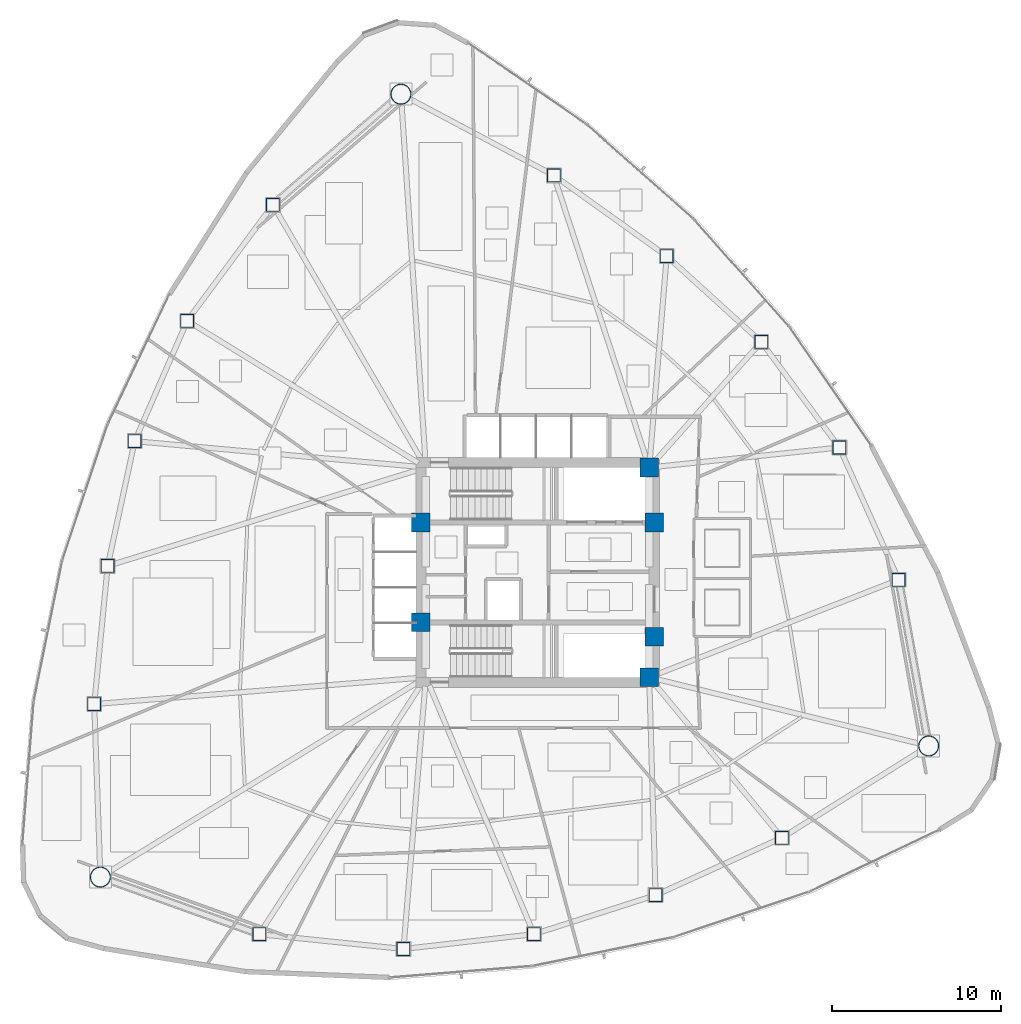
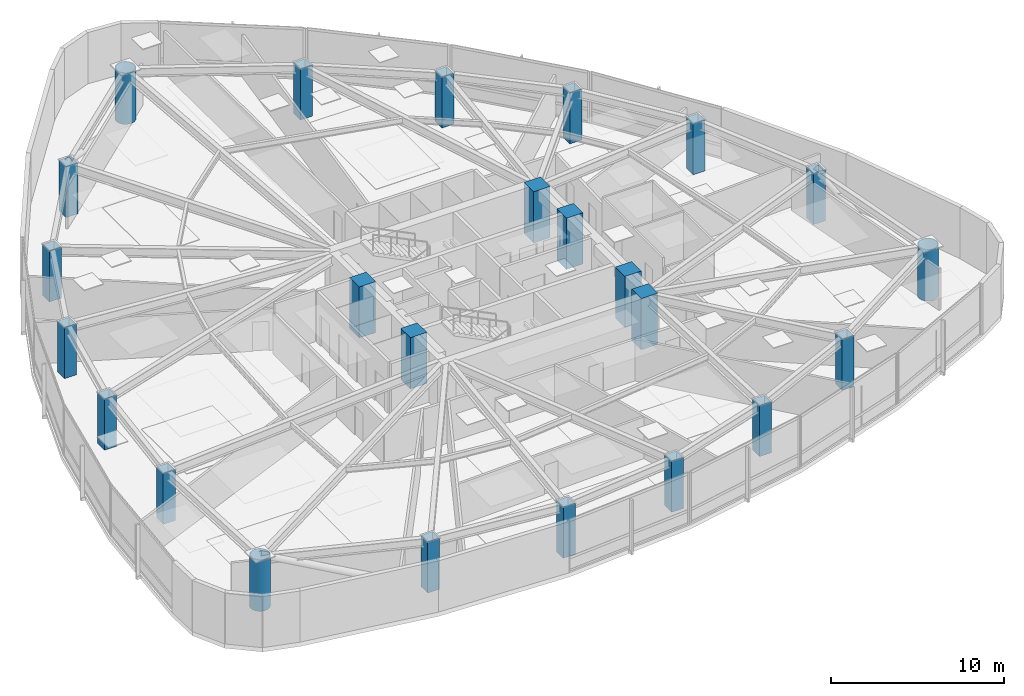
# One storey, part 1 of 18: 24 columns.
"""IFC4 building model written with IfcOpenShell, lengths in metres."""

from ifc_helpers import new_model, si_unit, direction, frame, origin, origin_2d, place, context, subcontext, project, spatial, rectangle, hollow_rectangle, hollow_circle, extrude, material, material_profile, profile_set, type_object, element, save


model = new_model("IFC4")

# Units and contexts
model_context = context("Model", 3, precision=1e-05, world=origin(), true_north=direction((0.0, 1.0)))
body_context = subcontext(model_context, "Body", "Model", "MODEL_VIEW")
ifc_project = project(units=[si_unit("LENGTHUNIT", "METRE"), si_unit("AREAUNIT", "SQUARE_METRE"), si_unit("VOLUMEUNIT", "CUBIC_METRE"), si_unit("PLANEANGLEUNIT", "RADIAN"), si_unit("MASSUNIT", "GRAM", prefix="KILO")], contexts=[model_context])

# Site, building, storey
site_placement = place(None, origin())
site = spatial("IfcSite", under=ifc_project, at=site_placement, CompositionType="ELEMENT")
building_placement = place(site_placement, origin())
building = spatial("IfcBuilding", under=site, at=building_placement, Name="Tavelor Broadcast Tower", CompositionType="ELEMENT")
storey_placement = place(building_placement, frame((0.0, 0.0, 58.800048828125)))
storey = spatial("IfcBuildingStorey", under=building, at=storey_placement, Name="L13", CompositionType="ELEMENT", Elevation=58.800048828125)

# Columns
ifc_material_1 = material(Name="Concrete C60/75", Category="concrete")
ifc_material_profile_1 = material_profile(ifc_material_1, rectangle(XDim=1.10009765625, YDim=1.10009765625, at=origin_2d()), Name="RC 1100x1100")
ifc_profile_set_1 = profile_set([ifc_material_profile_1], Name="Concrete C60/75")
column_type_1 = type_object("IfcColumnType", Name="Core Embedded Composite Column RC1100", PredefinedType="COLUMN", material=ifc_profile_set_1)
for number, where, z_axis, x_axis, name in (
    (1, (43.10009765625, 47.949951171875, 0.0), (0.0, 0.0, 1.0), (1.0, 0.0, 0.0), "L13 Core Embedded Column 1"),
    (2, (56.89990234375, 47.949951171875, 0.0), (0.0, 0.0, 1.0), (1.0, 0.0, 0.0), "L13 Core Embedded Column 2"),
    (3, (56.60009765625, 51.199951171875, 0.0), (0.0, 0.0, 1.0), (1.0, 0.0, 0.0), "L13 Core Embedded Column 3"),
    (4, (43.10009765625, 42.050048828125, 0.0), (0.0, 0.0, 1.0), (1.0, 0.0, 0.0), "L13 Core Embedded Column 4"),
    (5, (56.89990234375, 41.199951171875, 0.0), (0.0, 0.0, 1.0), (1.0, 0.0, 0.0), "L13 Core Embedded Column 5"),
    (6, (56.60009765625, 38.800048828125, 0.0), (0.0, 0.0, 1.0), (1.0, 0.0, 0.0), "L13 Core Embedded Column 6"),
):
    element("IfcColumn", number, at=place(storey_placement, frame(where, z_axis=z_axis, x_axis=x_axis)), inside=storey, type_object=column_type_1, Name=name, PredefinedType="COLUMN", context=body_context, shape_type="SweptSolid", body=[
        extrude(rectangle(XDim=1.10009765625, YDim=1.10009765625, at=origin_2d()), origin(), (0.0, 0.0, 1.0), 3.599853515625),
    ])
ifc_material_2 = material(Name="Steel S460", Category="steel")
ifc_material_profile_2 = material_profile(ifc_material_2, hollow_rectangle(XDim=0.800048828125, YDim=0.800048828125, WallThickness=0.044921875, at=origin_2d()), Name="SHS 800x800x45")
ifc_profile_set_2 = profile_set([ifc_material_profile_2], Name="Steel S460")
column_type_2 = type_object("IfcColumnType", Name="Perimeter Tube Column T1 SHS 800x800x45", PredefinedType="COLUMN", material=ifc_profile_set_2)
for number, where, z_axis, x_axis, name in (
    (7, (34.356201171875, 66.727783203125, 0.0), (0.0, 0.0, 1.0), (1.0, 0.0, 0.0), "L13 Perimeter Framed-Tube Column 02"),
    (8, (29.292236328125, 59.87158203125, 0.0), (0.0, 0.0, 1.0), (1.0, 0.0, 0.0), "L13 Perimeter Framed-Tube Column 03"),
    (9, (26.189208984375, 52.75830078125, 0.0), (0.0, 0.0, 1.0), (1.0, 0.0, 0.0), "L13 Perimeter Framed-Tube Column 04"),
    (10, (24.58984375, 45.380615234375, 0.0), (0.0, 0.0, 1.0), (1.0, 0.0, 0.0), "L13 Perimeter Framed-Tube Column 05"),
    (11, (23.794677734375, 37.21630859375, 0.0), (0.0, 0.0, 1.0), (1.0, 0.0, 0.0), "L13 Perimeter Framed-Tube Column 06"),
    (12, (33.55078125, 23.615478515625, 0.0), (0.0, 0.0, 1.0), (1.0, 0.0, 0.0), "L13 Perimeter Framed-Tube Column 08"),
    (13, (42.0732421875, 22.740478515625, 0.0), (0.0, 0.0, 1.0), (1.0, 0.0, 0.0), "L13 Perimeter Framed-Tube Column 09"),
    (14, (49.78662109375, 23.617919921875, 0.0), (0.0, 0.0, 1.0), (1.0, 0.0, 0.0), "L13 Perimeter Framed-Tube Column 10"),
    (15, (56.975341796875, 25.92138671875, 0.0), (0.0, 0.0, 1.0), (1.0, 0.0, 0.0), "L13 Perimeter Framed-Tube Column 11"),
    (16, (64.443603515625, 29.31494140625, 0.0), (0.0, 0.0, 1.0), (1.0, 0.0, 0.0), "L13 Perimeter Framed-Tube Column 12"),
    (17, (71.343994140625, 44.564697265625, 0.0), (0.0, 0.0, 1.0), (1.0, 0.0, 0.0), "L13 Perimeter Framed-Tube Column 14"),
    (18, (67.8408203125, 52.382568359375, 0.0), (0.0, 0.0, 1.0), (1.0, 0.0, 0.0), "L13 Perimeter Framed-Tube Column 15"),
    (19, (63.22412109375, 58.623779296875, 0.0), (0.0, 0.0, 1.0), (1.0, 0.0, 0.0), "L13 Perimeter Framed-Tube Column 16"),
    (20, (57.634765625, 63.69775390625, 0.0), (0.0, 0.0, 1.0), (1.0, 0.0, 0.0), "L13 Perimeter Framed-Tube Column 17"),
    (21, (50.9619140625, 68.468505859375, 0.0), (0.0, 0.0, 1.0), (1.0, 0.0, 0.0), "L13 Perimeter Framed-Tube Column 18"),
):
    element("IfcColumn", number, at=place(storey_placement, frame(where, z_axis=z_axis, x_axis=x_axis)), inside=storey, type_object=column_type_2, Name=name, PredefinedType="COLUMN", context=body_context, shape_type="SweptSolid", body=[
        extrude(hollow_rectangle(XDim=0.800048828125, YDim=0.800048828125, WallThickness=0.044921875, at=origin_2d()), origin(), (0.0, 0.0, 1.0), 3.599853515625),
    ])
ifc_material_profile_3 = material_profile(ifc_material_2, hollow_circle(Radius=0.609619140625, WallThickness=0.050048828125, at=origin_2d()), Name="CHS 1219x50")
ifc_profile_set_3 = profile_set([ifc_material_profile_3], Name="Steel S460")
column_type_3 = type_object("IfcColumnType", Name="Tower Mega Column T1 CHS 1219x50", PredefinedType="COLUMN", material=ifc_profile_set_3)
for number, where, z_axis, x_axis, name in (
    (22, (41.923095703125, 73.266357421875, 0.0), (0.0, 0.0, 1.0), (1.0, 0.0, 0.0), "L13 Tower Corner Mega Column 01"),
    (23, (24.1591796875, 26.98974609375, 0.0), (0.0, 0.0, 1.0), (1.0, 0.0, 0.0), "L13 Tower Corner Mega Column 07"),
    (24, (73.117919921875, 34.743896484375, 0.0), (0.0, 0.0, 1.0), (1.0, 0.0, 0.0), "L13 Tower Corner Mega Column 13"),
):
    element("IfcColumn", number, at=place(storey_placement, frame(where, z_axis=z_axis, x_axis=x_axis)), inside=storey, type_object=column_type_3, Name=name, PredefinedType="COLUMN", context=body_context, shape_type="SweptSolid", body=[
        extrude(hollow_circle(Radius=0.609619140625, WallThickness=0.050048828125, at=origin_2d()), origin(), (0.0, 0.0, 1.0), 3.599853515625),
    ])

save(model, "model.ifc")
